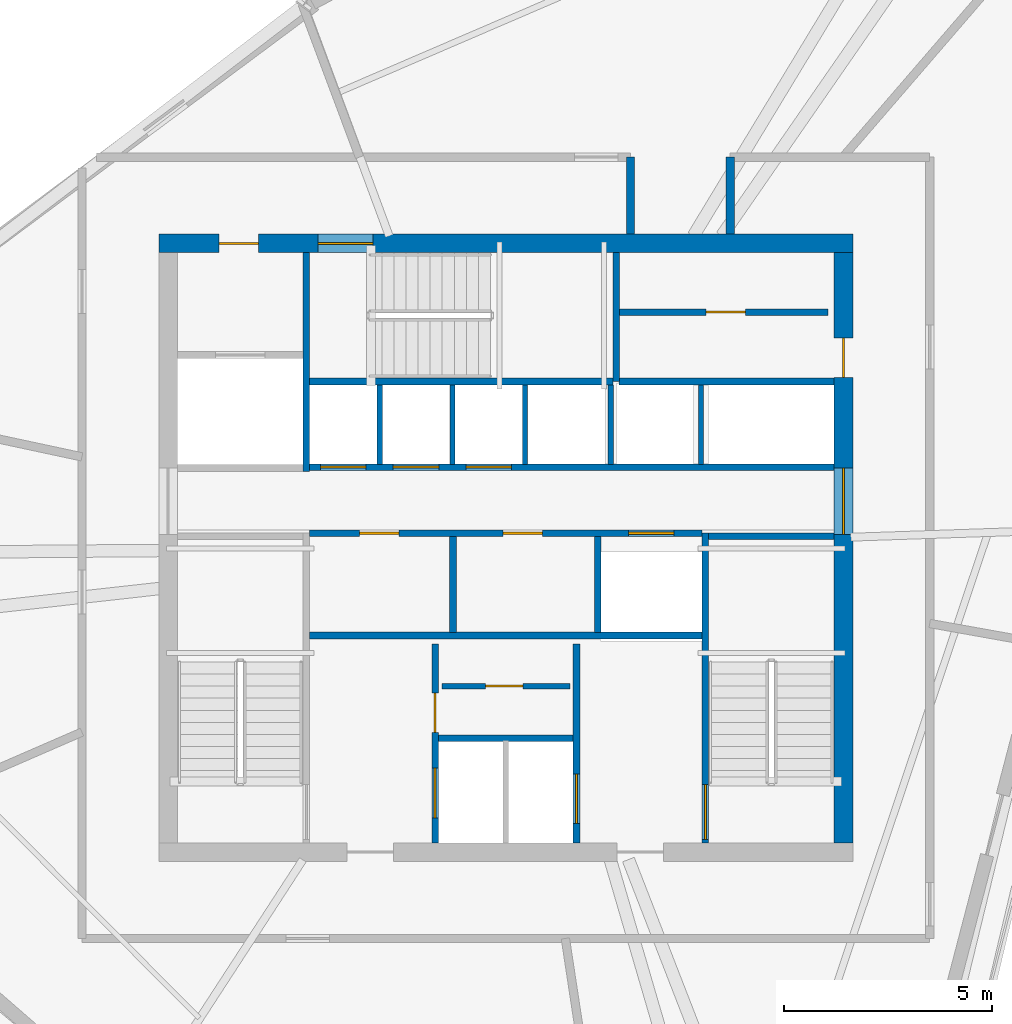
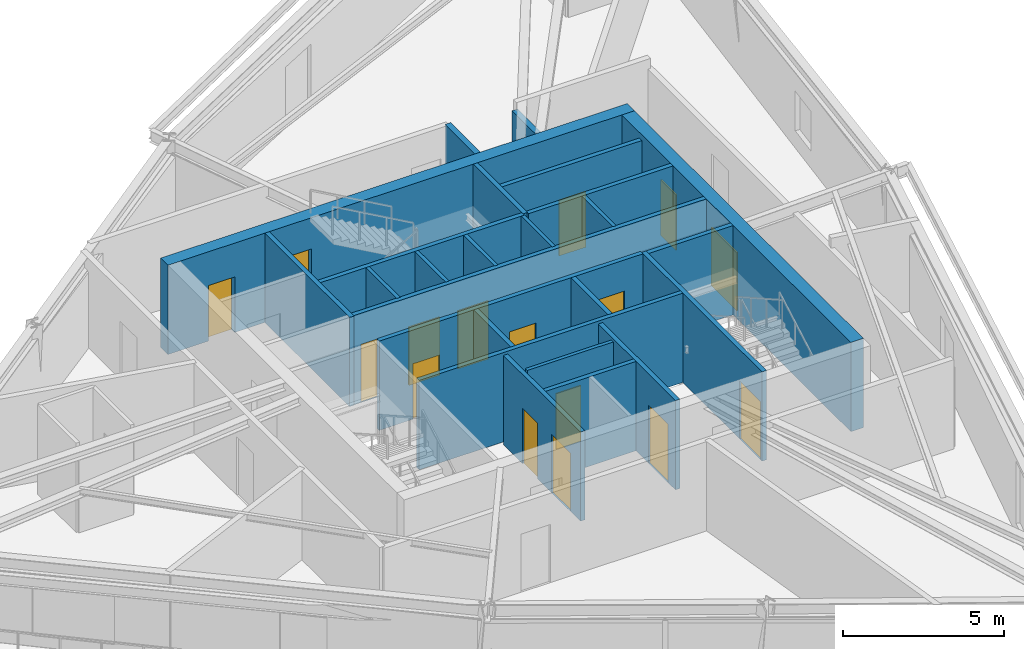
# One storey, part 9 of 13: 25 walls, 16 doors, 16 openings.
"""IFC4 building model written with IfcOpenShell, lengths in metres."""

from ifc_helpers import new_model, si_unit, direction, frame, frame_2d, origin, place, context, subcontext, project, spatial, rectangle, extrude, source, transform, mapped, material, layer, layer_set, type_object, type_shapes, element, fill, save


model = new_model("IFC4")

# Units and contexts
model_context = context("Model", 3, precision=1e-05, world=origin(), true_north=direction((0.0, 1.0)))
body_context = subcontext(model_context, "Body", "Model", "MODEL_VIEW")
ifc_project = project(units=[si_unit("LENGTHUNIT", "METRE"), si_unit("AREAUNIT", "SQUARE_METRE"), si_unit("VOLUMEUNIT", "CUBIC_METRE"), si_unit("PLANEANGLEUNIT", "RADIAN"), si_unit("MASSUNIT", "GRAM", prefix="KILO")], contexts=[model_context])

# Site, building, storey
site_placement = place(None, origin())
site = spatial("IfcSite", under=ifc_project, at=site_placement, CompositionType="ELEMENT")
building_placement = place(site_placement, origin())
building = spatial("IfcBuilding", under=site, at=building_placement, Name="Olszyna Solenne Hotel", CompositionType="ELEMENT")
storey_placement = place(building_placement, frame((0.0, 0.0, 263.300048828125)))
storey = spatial("IfcBuildingStorey", under=building, at=storey_placement, Name="L70", CompositionType="ELEMENT", Elevation=263.300048828125)

# Wall, openings, doors
ifc_material_1 = material(Name="Concrete C50/60", Category="concrete")
ifc_layer_1 = layer(ifc_material_1, 0.449951171875, Name="Concrete C50/60")
ifc_layer_set_1 = layer_set([ifc_layer_1], Name="Concrete C50/60")
wall_type_1 = type_object("IfcWallType", Name="WL-CR450", PredefinedType="SHEAR", material=ifc_layer_set_1)
wall_1_placement = place(storey_placement, frame((29.64990234375, 33.925048828125, 0.0), z_axis=(0.0, 0.0, 1.0), x_axis=(1.0, 0.0, 0.0)))
wall_1 = element("IfcWall", 1, at=wall_1_placement, inside=storey, type_object=wall_type_1, Name="Core shear wall WL-CR450 CRW-L70-N", PredefinedType="SHEAR", context=body_context, shape_type="SweptSolid", body=[
    extrude(rectangle(XDim=16.7001953125, YDim=0.449951171875, at=frame_2d((8.35009765625, 0.0))), origin(), (0.0, 0.0, 1.0), 3.3798828125),
])
opening_1_placement = place(wall_1_placement, frame((1.449951171875, 0.0, 0.0)))
opening_1 = element("IfcOpeningElement", 2, at=opening_1_placement, cuts=wall_1, Name="Opening SVD-L70-01", PredefinedType="OPENING", context=body_context, shape_type="SweptSolid", body=[
    extrude(rectangle(XDim=0.949951171875, YDim=2.10009765625, at=frame_2d((0.47509765625, 1.050048828125))), frame((0.0, 0.23486328125, 0.0), z_axis=(0.0, -1.0, 0.0), x_axis=(1.0, 0.0, 0.0)), (0.0, 0.0, 1.0), 0.469970703125),
])
opening_2_placement = place(wall_1_placement, frame((3.830078125, 0.0, 0.0)))
opening_2 = element("IfcOpeningElement", 3, at=opening_2_placement, cuts=wall_1, Name="Opening STD-L70-03", PredefinedType="OPENING", context=body_context, shape_type="SweptSolid", body=[
    extrude(rectangle(XDim=1.320068359375, YDim=2.199951171875, at=frame_2d((0.66015625, 1.10009765625))), frame((0.0, 0.23486328125, 0.0), z_axis=(0.0, -1.0, 0.0), x_axis=(1.0, 0.0, 0.0)), (0.0, 0.0, 1.0), 0.469970703125),
])
ifc_material_2 = material(Name="Steel S355J2", Category="steel")
door_type_1 = type_object("IfcDoorType", Name="DR-ST1", OperationType="NOTDEFINED", PredefinedType="DOOR", material=ifc_material_2)
shared_shape_1 = source(origin(), body_context, "Body", "SweptSolid", [
    extrude(rectangle(XDim=1.320068359375, YDim=2.199951171875, at=frame_2d((0.66015625, 1.10009765625))), frame((0.0, 0.02490234375, 0.0), z_axis=(0.0, -1.0, 0.0), x_axis=(1.0, 0.0, 0.0)), (0.0, 0.0, 1.0), 0.050048828125),
])
type_shapes(door_type_1, [shared_shape_1])
door_1_placement = place(opening_2_placement, origin())
door_1 = element("IfcDoor", 4, at=door_1_placement, inside=storey, type_object=door_type_1, Name="Pressurised exit stair ST3 fire door STD-L70-03", OperationType="SINGLE_SWING_RIGHT", OverallHeight=2.199951171875, OverallWidth=1.320068359375, PredefinedType="DOOR", context=body_context, shape_type="MappedRepresentation", body=[
    mapped(shared_shape_1, transform((0.0, 0.0, 0.0), x_axis=(1.0, 0.0, 0.0), y_axis=(0.0, 1.0, 0.0), z_axis=(0.0, 0.0, 1.0), scale=1.0)),
])
fill(opening_2, door_1)
door_type_2 = type_object("IfcDoorType", Name="DR-SV1", OperationType="NOTDEFINED", PredefinedType="DOOR", material=ifc_material_2)
shared_shape_2 = source(origin(), body_context, "Body", "SweptSolid", [
    extrude(rectangle(XDim=0.949951171875, YDim=2.10009765625, at=frame_2d((0.47509765625, 1.050048828125))), frame((0.0, 0.02490234375, 0.0), z_axis=(0.0, -1.0, 0.0), x_axis=(1.0, 0.0, 0.0)), (0.0, 0.0, 1.0), 0.050048828125),
])
type_shapes(door_type_2, [shared_shape_2])
door_2_placement = place(opening_1_placement, origin())
door_2 = element("IfcDoor", 5, at=door_2_placement, inside=storey, type_object=door_type_2, Name="Service lift lobby fire door SVD-L70-01", OperationType="SINGLE_SWING_LEFT", OverallHeight=2.10009765625, OverallWidth=0.949951171875, PredefinedType="DOOR", context=body_context, shape_type="MappedRepresentation", body=[
    mapped(shared_shape_2, transform((0.0, 0.0, 0.0), x_axis=(1.0, 0.0, 0.0), y_axis=(0.0, 1.0, 0.0), z_axis=(0.0, 0.0, 1.0), scale=1.0)),
])
fill(opening_1, door_2)

wall_2_placement = place(storey_placement, frame((46.125, 33.699951171875, 0.0), z_axis=(0.0, 0.0, 1.0), x_axis=(0.0, -1.0, 0.0)))
wall_2 = element("IfcWall", 6, at=wall_2_placement, inside=storey, type_object=wall_type_1, Name="Core shear wall WL-CR450 CRW-L70-E", PredefinedType="SHEAR", context=body_context, shape_type="SweptSolid", body=[
    extrude(rectangle(XDim=14.199951171875, YDim=0.449951171875, at=frame_2d((7.10009765625, 0.0))), origin(), (0.0, 0.0, 1.0), 3.3798828125),
])
opening_3_placement = place(wall_2_placement, frame((5.179931640625, 0.0, 0.0)))
opening_3 = element("IfcOpeningElement", 7, at=opening_3_placement, cuts=wall_2, Name="Opening LHD-L70-E", PredefinedType="OPENING", context=body_context, shape_type="SweptSolid", body=[
    extrude(rectangle(XDim=1.60009765625, YDim=2.199951171875, at=frame_2d((0.800048828125, 1.10009765625))), frame((0.0, 0.23486328125, 0.0), z_axis=(0.0, -1.0, 0.0), x_axis=(1.0, 0.0, 0.0)), (0.0, 0.0, 1.0), 0.469970703125),
])
opening_4_placement = place(wall_2_placement, frame((2.050048828125, 0.0, 0.0)))
opening_4 = element("IfcOpeningElement", 8, at=opening_4_placement, cuts=wall_2, Name="Opening SVD-L70-BE", PredefinedType="OPENING", context=body_context, shape_type="SweptSolid", body=[
    extrude(rectangle(XDim=0.949951171875, YDim=2.10009765625, at=frame_2d((0.47509765625, 1.050048828125))), frame((0.0, 0.23486328125, 0.0), z_axis=(0.0, -1.0, 0.0), x_axis=(1.0, 0.0, 0.0)), (0.0, 0.0, 1.0), 0.469970703125),
])
door_3_placement = place(opening_4_placement, origin())
door_3 = element("IfcDoor", 9, at=door_3_placement, inside=storey, type_object=door_type_2, Name="Housekeeping core fire door SVD-L70-BE", OperationType="SINGLE_SWING_RIGHT", OverallHeight=2.10009765625, OverallWidth=0.949951171875, PredefinedType="DOOR", context=body_context, shape_type="MappedRepresentation", body=[
    mapped(shared_shape_2, transform((0.0, 0.0, 0.0), x_axis=(1.0, 0.0, 0.0), y_axis=(0.0, 1.0, 0.0), z_axis=(0.0, 0.0, 1.0), scale=1.0)),
])
fill(opening_4, door_3)
ifc_material_3 = material(Name="Timber hardwood", Category="wood")
door_type_3 = type_object("IfcDoorType", Name="DR-CR1", OperationType="DOUBLE_DOOR_SINGLE_SWING", PredefinedType="DOOR", material=ifc_material_3)
shared_shape_3 = source(origin(), body_context, "Body", "SweptSolid", [
    extrude(rectangle(XDim=1.60009765625, YDim=2.199951171875, at=frame_2d((0.800048828125, 1.10009765625))), frame((0.0, 0.02490234375, 0.0), z_axis=(0.0, -1.0, 0.0), x_axis=(1.0, 0.0, 0.0)), (0.0, 0.0, 1.0), 0.050048828125),
])
type_shapes(door_type_3, [shared_shape_3])
door_4_placement = place(opening_3_placement, origin())
door_4 = element("IfcDoor", 10, at=door_4_placement, inside=storey, type_object=door_type_3, Name="Passenger lift lobby East fire door LHD-L70-E", OperationType="DOUBLE_DOOR_SINGLE_SWING", OverallHeight=2.199951171875, OverallWidth=1.60009765625, PredefinedType="DOOR", context=body_context, shape_type="MappedRepresentation", body=[
    mapped(shared_shape_3, transform((0.0, 0.0, 0.0), x_axis=(1.0, 0.0, 0.0), y_axis=(0.0, 1.0, 0.0), z_axis=(0.0, 0.0, 1.0), scale=1.0)),
])
fill(opening_3, door_4)

# Wall, opening, door
ifc_material_4 = material(Name="Acoustic gypsum partition", Category="gypsum")
ifc_layer_2 = layer(ifc_material_4, 0.125, Name="Acoustic gypsum partition")
ifc_layer_set_2 = layer_set([ifc_layer_2], Name="Acoustic gypsum partition")
wall_type_2 = type_object("IfcWallType", Name="WL-PT125", PredefinedType="PARTITIONING", material=ifc_layer_set_2)
wall_3_placement = place(storey_placement, frame((36.4599609375, 23.27001953125, 0.0), z_axis=(0.0, 0.0, 1.0), x_axis=(1.0, 0.0, 0.0)))
wall_3 = element("IfcWall", 11, at=wall_3_placement, inside=storey, type_object=wall_type_2, Name="Core shaft compartment wall CW-L70-SC2", PredefinedType="PARTITIONING", context=body_context, shape_type="SweptSolid", body=[
    extrude(rectangle(XDim=3.080078125, YDim=0.125, at=frame_2d((1.5400390625, 0.0))), origin(), (0.0, 0.0, 1.0), 3.3798828125),
])
opening_5_placement = place(wall_3_placement, frame((1.050048828125, 0.0, 0.0)))
opening_5 = element("IfcOpeningElement", 12, at=opening_5_placement, cuts=wall_3, Name="Opening SVD-L70-SC2", PredefinedType="OPENING", context=body_context, shape_type="SweptSolid", body=[
    extrude(rectangle(XDim=0.89990234375, YDim=2.10009765625, at=frame_2d((0.449951171875, 1.050048828125))), frame((0.0, 0.072509765625, 0.0), z_axis=(0.0, -1.0, 0.0), x_axis=(1.0, 0.0, 0.0)), (0.0, 0.0, 1.0), 0.14501953125),
])
door_type_4 = type_object("IfcDoorType", Name="DR-WC1", OperationType="NOTDEFINED", PredefinedType="DOOR", material=ifc_material_3)
shared_shape_4 = source(origin(), body_context, "Body", "SweptSolid", [
    extrude(rectangle(XDim=0.89990234375, YDim=2.10009765625, at=frame_2d((0.449951171875, 1.050048828125))), frame((0.0, 0.02490234375, 0.0), z_axis=(0.0, -1.0, 0.0), x_axis=(1.0, 0.0, 0.0)), (0.0, 0.0, 1.0), 0.050048828125),
])
type_shapes(door_type_4, [shared_shape_4])
door_5_placement = place(opening_5_placement, origin())
door_5 = element("IfcDoor", 13, at=door_5_placement, inside=storey, type_object=door_type_4, Name="Butler pantry door SVD-L70-SC2", OperationType="SINGLE_SWING_RIGHT", OverallHeight=2.10009765625, OverallWidth=0.89990234375, PredefinedType="DOOR", context=body_context, shape_type="MappedRepresentation", body=[
    mapped(shared_shape_4, transform((0.0, 0.0, 0.0), x_axis=(1.0, 0.0, 0.0), y_axis=(0.0, 1.0, 0.0), z_axis=(0.0, 0.0, 1.0), scale=1.0)),
])
fill(opening_5, door_5)

# Walls
for number, where, z_axis, x_axis, name in (
    (14, (34.965087890625, 28.60009765625, 0.0), (0.0, 0.0, 1.0), (0.0, 1.0, 0.0), "Core shaft compartment wall CW-L70-DIVN349"),
    (15, (36.715087890625, 28.60009765625, 0.0), (0.0, 0.0, 1.0), (0.0, 1.0, 0.0), "Core shaft compartment wall CW-L70-DIVN367"),
    (16, (38.465087890625, 28.60009765625, 0.0), (0.0, 0.0, 1.0), (0.0, 1.0, 0.0), "Core shaft compartment wall CW-L70-DIVN384"),
    (17, (40.52490234375, 28.60009765625, 0.0), (0.0, 0.0, 1.0), (0.0, 1.0, 0.0), "Core shaft compartment wall CW-L70-DIVEX405"),
    (18, (42.699951171875, 28.60009765625, 0.0), (0.0, 0.0, 1.0), (0.0, 1.0, 0.0), "Core shaft compartment wall CW-L70-DIVEX427"),
):
    element("IfcWall", number, at=place(storey_placement, frame(where, z_axis=z_axis, x_axis=x_axis)), inside=storey, type_object=wall_type_2, Name=name, PredefinedType="PARTITIONING", context=body_context, shape_type="SweptSolid", body=[
        extrude(rectangle(XDim=1.919921875, YDim=0.125, at=frame_2d((0.9599609375, 0.0))), origin(), (0.0, 0.0, 1.0), 3.3798828125),
    ])

# Wall, opening, door
ifc_layer_3 = layer(ifc_material_4, 0.159912109375, Name="Acoustic gypsum partition")
ifc_layer_set_3 = layer_set([ifc_layer_3], Name="Acoustic gypsum partition")
wall_type_3 = type_object("IfcWallType", Name="WL-PT160", PredefinedType="PARTITIONING", material=ifc_layer_set_3)
wall_4_placement = place(storey_placement, frame((42.800048828125, 26.9599609375, 0.0), z_axis=(0.0, 0.0, 1.0), x_axis=(0.0, -1.0, 0.0)))
wall_4 = element("IfcWall", 19, at=wall_4_placement, inside=storey, type_object=wall_type_3, Name="Core shaft compartment wall CW-L70-ST2W", PredefinedType="PARTITIONING", context=body_context, shape_type="SweptSolid", body=[
    extrude(rectangle(XDim=7.4599609375, YDim=0.159912109375, at=frame_2d((3.72998046875, 0.0))), origin(), (0.0, 0.0, 1.0), 3.3798828125),
])
opening_6_placement = place(wall_4_placement, frame((6.06005859375, 0.0, 0.0)))
opening_6 = element("IfcOpeningElement", 20, at=opening_6_placement, cuts=wall_4, Name="Opening STD-L70-02", PredefinedType="OPENING", context=body_context, shape_type="SweptSolid", body=[
    extrude(rectangle(XDim=1.320068359375, YDim=2.199951171875, at=frame_2d((0.66015625, 1.10009765625))), frame((0.0, 0.08984375, 0.0), z_axis=(0.0, -1.0, 0.0), x_axis=(1.0, 0.0, 0.0)), (0.0, 0.0, 1.0), 0.179931640625),
])
door_6_placement = place(opening_6_placement, origin())
door_6 = element("IfcDoor", 21, at=door_6_placement, inside=storey, type_object=door_type_1, Name="Pressurised exit stair ST2 fire door STD-L70-02", OperationType="SINGLE_SWING_RIGHT", OverallHeight=2.199951171875, OverallWidth=1.320068359375, PredefinedType="DOOR", context=body_context, shape_type="MappedRepresentation", body=[
    mapped(shared_shape_1, transform((0.0, 0.0, 0.0), x_axis=(1.0, 0.0, 0.0), y_axis=(0.0, 1.0, 0.0), z_axis=(0.0, 0.0, 1.0), scale=1.0)),
])
fill(opening_6, door_6)

# Walls
wall_5_placement = place(storey_placement, frame((42.8798828125, 26.8798828125, 0.0), z_axis=(0.0, 0.0, 1.0), x_axis=(1.0, 0.0, 0.0)))
element("IfcWall", 22, at=wall_5_placement, inside=storey, type_object=wall_type_3, Name="Core shaft compartment wall CW-L70-ST2N", PredefinedType="PARTITIONING", context=body_context, shape_type="SweptSolid", body=[
    extrude(rectangle(XDim=3.02001953125, YDim=0.159912109375, at=frame_2d((1.510009765625, 0.0))), origin(), (0.0, 0.0, 1.0), 3.3798828125),
])
wall_6_placement = place(storey_placement, frame((33.280029296875, 30.60009765625, 0.0), z_axis=(0.0, 0.0, 1.0), x_axis=(1.0, 0.0, 0.0)))
element("IfcWall", 23, at=wall_6_placement, inside=storey, type_object=wall_type_3, Name="Core shaft compartment wall CW-L70-ST3S", PredefinedType="PARTITIONING", context=body_context, shape_type="SweptSolid", body=[
    extrude(rectangle(XDim=7.300048828125, YDim=0.159912109375, at=frame_2d((3.64990234375, 0.0))), origin(), (0.0, 0.0, 1.0), 3.3798828125),
])
wall_7_placement = place(storey_placement, frame((40.659912109375, 30.60009765625, 0.0), z_axis=(0.0, 0.0, 1.0), x_axis=(0.0, 1.0, 0.0)))
element("IfcWall", 24, at=wall_7_placement, inside=storey, type_object=wall_type_3, Name="Core shaft compartment wall CW-L70-ST3E", PredefinedType="PARTITIONING", context=body_context, shape_type="SweptSolid", body=[
    extrude(rectangle(XDim=3.099853515625, YDim=0.159912109375, at=frame_2d((1.5498046875, 0.0))), origin(), (0.0, 0.0, 1.0), 3.3798828125),
])

# Wall, openings, doors
wall_8_placement = place(storey_placement, frame((36.300048828125, 19.5, 0.0), z_axis=(0.0, 0.0, 1.0), x_axis=(0.0, 1.0, 0.0)))
wall_8 = element("IfcWall", 25, at=wall_8_placement, inside=storey, type_object=wall_type_3, Name="Core shaft compartment wall CW-L70-FF1W", PredefinedType="PARTITIONING", context=body_context, shape_type="SweptSolid", body=[
    extrude(rectangle(XDim=4.780029296875, YDim=0.159912109375, at=frame_2d((2.39013671875, 0.0))), origin(), (0.0, 0.0, 1.0), 3.3798828125),
])
opening_7_placement = place(wall_8_placement, frame((0.60009765625, 0.0, 0.0)))
opening_7 = element("IfcOpeningElement", 26, at=opening_7_placement, cuts=wall_8, Name="Opening LD-L70-FF1", PredefinedType="OPENING", context=body_context, shape_type="SweptSolid", body=[
    extrude(rectangle(XDim=1.199951171875, YDim=2.199951171875, at=frame_2d((0.60009765625, 1.10009765625))), frame((0.0, 0.08984375, 0.0), z_axis=(0.0, -1.0, 0.0), x_axis=(1.0, 0.0, 0.0)), (0.0, 0.0, 1.0), 0.179931640625),
])
opening_8_placement = place(wall_8_placement, frame((2.64990234375, 0.0, 0.0)))
opening_8 = element("IfcOpeningElement", 27, at=opening_8_placement, cuts=wall_8, Name="Opening SVD-L70-SMK", PredefinedType="OPENING", context=body_context, shape_type="SweptSolid", body=[
    extrude(rectangle(XDim=0.949951171875, YDim=2.10009765625, at=frame_2d((0.47509765625, 1.050048828125))), frame((0.0, 0.08984375, 0.0), z_axis=(0.0, -1.0, 0.0), x_axis=(1.0, 0.0, 0.0)), (0.0, 0.0, 1.0), 0.179931640625),
])
door_7_placement = place(opening_8_placement, origin())
door_7 = element("IfcDoor", 28, at=door_7_placement, inside=storey, type_object=door_type_2, Name="Valet and core service room door SVD-L70-SMK", OperationType="SINGLE_SWING_LEFT", OverallHeight=2.10009765625, OverallWidth=0.949951171875, PredefinedType="DOOR", context=body_context, shape_type="MappedRepresentation", body=[
    mapped(shared_shape_2, transform((0.0, 0.0, 0.0), x_axis=(1.0, 0.0, 0.0), y_axis=(0.0, 1.0, 0.0), z_axis=(0.0, 0.0, 1.0), scale=1.0)),
])
fill(opening_8, door_7)
door_type_5 = type_object("IfcDoorType", Name="LD-FF1", OperationType="DOUBLE_DOOR_SLIDING", PredefinedType="DOOR", material=ifc_material_2)
shared_shape_5 = source(origin(), body_context, "Body", "SweptSolid", [
    extrude(rectangle(XDim=1.199951171875, YDim=2.199951171875, at=frame_2d((0.60009765625, 1.10009765625))), frame((0.0, 0.02490234375, 0.0), z_axis=(0.0, -1.0, 0.0), x_axis=(1.0, 0.0, 0.0)), (0.0, 0.0, 1.0), 0.050048828125),
])
type_shapes(door_type_5, [shared_shape_5])
door_8_placement = place(opening_7_placement, origin())
door_8 = element("IfcDoor", 29, at=door_8_placement, inside=storey, type_object=door_type_5, Name="Firefighters lift FF1 sliding landing door LD-L70-FF1", OperationType="DOUBLE_DOOR_SLIDING", OverallHeight=2.199951171875, OverallWidth=1.199951171875, PredefinedType="DOOR", context=body_context, shape_type="MappedRepresentation", body=[
    mapped(shared_shape_5, transform((0.0, 0.0, 0.0), x_axis=(1.0, 0.0, 0.0), y_axis=(0.0, 1.0, 0.0), z_axis=(0.0, 0.0, 1.0), scale=1.0)),
])
fill(opening_7, door_8)

# Wall, opening, door
wall_9_placement = place(storey_placement, frame((39.699951171875, 24.280029296875, 0.0), z_axis=(0.0, 0.0, 1.0), x_axis=(0.0, -1.0, 0.0)))
wall_9 = element("IfcWall", 30, at=wall_9_placement, inside=storey, type_object=wall_type_3, Name="Core shaft compartment wall CW-L70-FF2E", PredefinedType="PARTITIONING", context=body_context, shape_type="SweptSolid", body=[
    extrude(rectangle(XDim=4.780029296875, YDim=0.159912109375, at=frame_2d((2.39013671875, 0.0))), origin(), (0.0, 0.0, 1.0), 3.3798828125),
])
opening_9_placement = place(wall_9_placement, frame((3.1201171875, 0.0, 0.0)))
opening_9 = element("IfcOpeningElement", 31, at=opening_9_placement, cuts=wall_9, Name="Opening LD-L70-FF2", PredefinedType="OPENING", context=body_context, shape_type="SweptSolid", body=[
    extrude(rectangle(XDim=1.199951171875, YDim=2.199951171875, at=frame_2d((0.60009765625, 1.10009765625))), frame((0.0, 0.08984375, 0.0), z_axis=(0.0, -1.0, 0.0), x_axis=(1.0, 0.0, 0.0)), (0.0, 0.0, 1.0), 0.179931640625),
])
door_9_placement = place(opening_9_placement, origin())
door_9 = element("IfcDoor", 32, at=door_9_placement, inside=storey, type_object=door_type_5, Name="Firefighters lift FF2 sliding landing door LD-L70-FF2", OperationType="DOUBLE_DOOR_SLIDING", OverallHeight=2.199951171875, OverallWidth=1.199951171875, PredefinedType="DOOR", context=body_context, shape_type="MappedRepresentation", body=[
    mapped(shared_shape_5, transform((0.0, 0.0, 0.0), x_axis=(1.0, 0.0, 0.0), y_axis=(0.0, 1.0, 0.0), z_axis=(0.0, 0.0, 1.0), scale=1.0)),
])
fill(opening_9, door_9)

# Walls
wall_10_placement = place(storey_placement, frame((36.3798828125, 22.02001953125, 0.0), z_axis=(0.0, 0.0, 1.0), x_axis=(1.0, 0.0, 0.0)))
element("IfcWall", 33, at=wall_10_placement, inside=storey, type_object=wall_type_3, Name="Core shaft compartment wall CW-L70-FFN", PredefinedType="PARTITIONING", context=body_context, shape_type="SweptSolid", body=[
    extrude(rectangle(XDim=3.240234375, YDim=0.159912109375, at=frame_2d((1.6201171875, 0.0))), origin(), (0.0, 0.0, 1.0), 3.3798828125),
])
wall_11_placement = place(storey_placement, frame((33.280029296875, 24.489990234375, 0.0), z_axis=(0.0, 0.0, 1.0), x_axis=(1.0, 0.0, 0.0)))
element("IfcWall", 34, at=wall_11_placement, inside=storey, type_object=wall_type_3, Name="Core shaft compartment wall CW-L70-FFBN", PredefinedType="PARTITIONING", context=body_context, shape_type="SweptSolid", body=[
    extrude(rectangle(XDim=9.43994140625, YDim=0.159912109375, at=frame_2d((4.719970703125, 0.0))), origin(), (0.0, 0.0, 1.0), 3.3798828125),
])
wall_12_placement = place(storey_placement, frame((33.199951171875, 28.43994140625, 0.0), z_axis=(0.0, 0.0, 1.0), x_axis=(0.0, 1.0, 0.0)))
element("IfcWall", 35, at=wall_12_placement, inside=storey, type_object=wall_type_3, Name="Core shaft compartment wall CW-L70-SV1E", PredefinedType="PARTITIONING", context=body_context, shape_type="SweptSolid", body=[
    extrude(rectangle(XDim=5.260009765625, YDim=0.159912109375, at=frame_2d((2.6298828125, 0.0))), origin(), (0.0, 0.0, 1.0), 3.3798828125),
])

# Wall, openings, doors
wall_13_placement = place(storey_placement, frame((33.280029296875, 26.949951171875, 0.0), z_axis=(0.0, 0.0, 1.0), x_axis=(1.0, 0.0, 0.0)))
wall_13 = element("IfcWall", 36, at=wall_13_placement, inside=storey, type_object=wall_type_3, Name="Core shaft compartment wall CW-L70-LRS", PredefinedType="PARTITIONING", context=body_context, shape_type="SweptSolid", body=[
    extrude(rectangle(XDim=9.43994140625, YDim=0.159912109375, at=frame_2d((4.719970703125, 0.0))), origin(), (0.0, 0.0, 1.0), 3.3798828125),
])
opening_10_placement = place(wall_13_placement, frame((1.199951171875, 0.0, 0.0)))
opening_10 = element("IfcOpeningElement", 37, at=opening_10_placement, cuts=wall_13, Name="Opening SVD-L70-L71", PredefinedType="OPENING", context=body_context, shape_type="SweptSolid", body=[
    extrude(rectangle(XDim=0.949951171875, YDim=2.10009765625, at=frame_2d((0.47509765625, 1.050048828125))), frame((0.0, 0.08984375, 0.0), z_axis=(0.0, -1.0, 0.0), x_axis=(1.0, 0.0, 0.0)), (0.0, 0.0, 1.0), 0.179931640625),
])
opening_11_placement = place(wall_13_placement, frame((4.64990234375, 0.0, 0.0)))
opening_11 = element("IfcOpeningElement", 38, at=opening_11_placement, cuts=wall_13, Name="Opening SVD-L70-L72", PredefinedType="OPENING", context=body_context, shape_type="SweptSolid", body=[
    extrude(rectangle(XDim=0.949951171875, YDim=2.10009765625, at=frame_2d((0.47509765625, 1.050048828125))), frame((0.0, 0.08984375, 0.0), z_axis=(0.0, -1.0, 0.0), x_axis=(1.0, 0.0, 0.0)), (0.0, 0.0, 1.0), 0.179931640625),
])
opening_12_placement = place(wall_13_placement, frame((7.669921875, 0.0, 0.0)))
opening_12 = element("IfcOpeningElement", 39, at=opening_12_placement, cuts=wall_13, Name="Opening LD-L70-PL5", PredefinedType="OPENING", context=body_context, shape_type="SweptSolid", body=[
    extrude(rectangle(XDim=1.10009765625, YDim=2.199951171875, at=frame_2d((0.550048828125, 1.10009765625))), frame((0.0, 0.08984375, 0.0), z_axis=(0.0, -1.0, 0.0), x_axis=(1.0, 0.0, 0.0)), (0.0, 0.0, 1.0), 0.179931640625),
])
door_10_placement = place(opening_10_placement, origin())
door_10 = element("IfcDoor", 40, at=door_10_placement, inside=storey, type_object=door_type_2, Name="Recaptured core room fire door SVD-L70-L71", OperationType="SINGLE_SWING_LEFT", OverallHeight=2.10009765625, OverallWidth=0.949951171875, PredefinedType="DOOR", context=body_context, shape_type="MappedRepresentation", body=[
    mapped(shared_shape_2, transform((0.0, 0.0, 0.0), x_axis=(1.0, 0.0, 0.0), y_axis=(0.0, 1.0, 0.0), z_axis=(0.0, 0.0, 1.0), scale=1.0)),
])
fill(opening_10, door_10)
door_11_placement = place(opening_11_placement, origin())
door_11 = element("IfcDoor", 41, at=door_11_placement, inside=storey, type_object=door_type_2, Name="Recaptured core room fire door SVD-L70-L72", OperationType="SINGLE_SWING_RIGHT", OverallHeight=2.10009765625, OverallWidth=0.949951171875, PredefinedType="DOOR", context=body_context, shape_type="MappedRepresentation", body=[
    mapped(shared_shape_2, transform((0.0, 0.0, 0.0), x_axis=(1.0, 0.0, 0.0), y_axis=(0.0, 1.0, 0.0), z_axis=(0.0, 0.0, 1.0), scale=1.0)),
])
fill(opening_11, door_11)
door_type_6 = type_object("IfcDoorType", Name="LD-P1", OperationType="DOUBLE_DOOR_SLIDING", PredefinedType="DOOR", material=ifc_material_2)
shared_shape_6 = source(origin(), body_context, "Body", "SweptSolid", [
    extrude(rectangle(XDim=1.10009765625, YDim=2.199951171875, at=frame_2d((0.550048828125, 1.10009765625))), frame((0.0, 0.02490234375, 0.0), z_axis=(0.0, -1.0, 0.0), x_axis=(1.0, 0.0, 0.0)), (0.0, 0.0, 1.0), 0.050048828125),
])
type_shapes(door_type_6, [shared_shape_6])
door_12_placement = place(opening_12_placement, origin())
door_12 = element("IfcDoor", 42, at=door_12_placement, inside=storey, type_object=door_type_6, Name="Passenger lift PL5 sliding landing door LD-L70-PL5", OperationType="DOUBLE_DOOR_SLIDING", OverallHeight=2.199951171875, OverallWidth=1.10009765625, PredefinedType="DOOR", context=body_context, shape_type="MappedRepresentation", body=[
    mapped(shared_shape_6, transform((0.0, 0.0, 0.0), x_axis=(1.0, 0.0, 0.0), y_axis=(0.0, 1.0, 0.0), z_axis=(0.0, 0.0, 1.0), scale=1.0)),
])
fill(opening_12, door_12)

# Walls
for number, where, z_axis, x_axis, name in (
    (43, (36.72998046875, 24.56005859375, 0.0), (0.0, 0.0, 1.0), (0.0, 1.0, 0.0), "Core shaft compartment wall CW-L70-LV7DIV1"),
    (44, (40.215087890625, 24.56005859375, 0.0), (0.0, 0.0, 1.0), (0.0, 1.0, 0.0), "Core shaft compartment wall CW-L70-LV7DIV2"),
):
    element("IfcWall", number, at=place(storey_placement, frame(where, z_axis=z_axis, x_axis=x_axis)), inside=storey, type_object=wall_type_3, Name=name, PredefinedType="PARTITIONING", context=body_context, shape_type="SweptSolid", body=[
        extrude(rectangle(XDim=2.31005859375, YDim=0.159912109375, at=frame_2d((1.155029296875, 0.0))), origin(), (0.0, 0.0, 1.0), 3.3798828125),
    ])

# Wall, openings, doors
wall_14_placement = place(storey_placement, frame((33.280029296875, 28.5400390625, 0.0), z_axis=(0.0, 0.0, 1.0), x_axis=(1.0, 0.0, 0.0)))
wall_14 = element("IfcWall", 45, at=wall_14_placement, inside=storey, type_object=wall_type_3, Name="Core shaft compartment wall CW-L70-LRN", PredefinedType="PARTITIONING", context=body_context, shape_type="SweptSolid", body=[
    extrude(rectangle(XDim=12.619873046875, YDim=0.159912109375, at=frame_2d((6.31005859375, 0.0))), origin(), (0.0, 0.0, 1.0), 3.3798828125),
])
opening_13_placement = place(wall_14_placement, frame((0.260009765625, 0.0, 0.0)))
opening_13 = element("IfcOpeningElement", 46, at=opening_13_placement, cuts=wall_14, Name="Opening LD-L70-PL6", PredefinedType="OPENING", context=body_context, shape_type="SweptSolid", body=[
    extrude(rectangle(XDim=1.10009765625, YDim=2.199951171875, at=frame_2d((0.550048828125, 1.10009765625))), frame((0.0, 0.08984375, 0.0), z_axis=(0.0, -1.0, 0.0), x_axis=(1.0, 0.0, 0.0)), (0.0, 0.0, 1.0), 0.179931640625),
])
opening_14_placement = place(wall_14_placement, frame((2.010009765625, 0.0, 0.0)))
opening_14 = element("IfcOpeningElement", 47, at=opening_14_placement, cuts=wall_14, Name="Opening LD-L70-PL7", PredefinedType="OPENING", context=body_context, shape_type="SweptSolid", body=[
    extrude(rectangle(XDim=1.10009765625, YDim=2.199951171875, at=frame_2d((0.550048828125, 1.10009765625))), frame((0.0, 0.08984375, 0.0), z_axis=(0.0, -1.0, 0.0), x_axis=(1.0, 0.0, 0.0)), (0.0, 0.0, 1.0), 0.179931640625),
])
opening_15_placement = place(wall_14_placement, frame((3.760009765625, 0.0, 0.0)))
opening_15 = element("IfcOpeningElement", 48, at=opening_15_placement, cuts=wall_14, Name="Opening LD-L70-PL8", PredefinedType="OPENING", context=body_context, shape_type="SweptSolid", body=[
    extrude(rectangle(XDim=1.10009765625, YDim=2.199951171875, at=frame_2d((0.550048828125, 1.10009765625))), frame((0.0, 0.08984375, 0.0), z_axis=(0.0, -1.0, 0.0), x_axis=(1.0, 0.0, 0.0)), (0.0, 0.0, 1.0), 0.179931640625),
])
door_13_placement = place(opening_13_placement, origin())
door_13 = element("IfcDoor", 49, at=door_13_placement, inside=storey, type_object=door_type_6, Name="Passenger lift PL6 sliding landing door LD-L70-PL6", OperationType="DOUBLE_DOOR_SLIDING", OverallHeight=2.199951171875, OverallWidth=1.10009765625, PredefinedType="DOOR", context=body_context, shape_type="MappedRepresentation", body=[
    mapped(shared_shape_6, transform((0.0, 0.0, 0.0), x_axis=(1.0, 0.0, 0.0), y_axis=(0.0, 1.0, 0.0), z_axis=(0.0, 0.0, 1.0), scale=1.0)),
])
fill(opening_13, door_13)
door_14_placement = place(opening_14_placement, origin())
door_14 = element("IfcDoor", 50, at=door_14_placement, inside=storey, type_object=door_type_6, Name="Passenger lift PL7 sliding landing door LD-L70-PL7", OperationType="DOUBLE_DOOR_SLIDING", OverallHeight=2.199951171875, OverallWidth=1.10009765625, PredefinedType="DOOR", context=body_context, shape_type="MappedRepresentation", body=[
    mapped(shared_shape_6, transform((0.0, 0.0, 0.0), x_axis=(1.0, 0.0, 0.0), y_axis=(0.0, 1.0, 0.0), z_axis=(0.0, 0.0, 1.0), scale=1.0)),
])
fill(opening_14, door_14)
door_15_placement = place(opening_15_placement, origin())
door_15 = element("IfcDoor", 51, at=door_15_placement, inside=storey, type_object=door_type_6, Name="Passenger lift PL8 sliding landing door LD-L70-PL8", OperationType="DOUBLE_DOOR_SLIDING", OverallHeight=2.199951171875, OverallWidth=1.10009765625, PredefinedType="DOOR", context=body_context, shape_type="MappedRepresentation", body=[
    mapped(shared_shape_6, transform((0.0, 0.0, 0.0), x_axis=(1.0, 0.0, 0.0), y_axis=(0.0, 1.0, 0.0), z_axis=(0.0, 0.0, 1.0), scale=1.0)),
])
fill(opening_15, door_15)

# Wall
wall_15_placement = place(storey_placement, frame((40.719970703125, 30.60009765625, 0.0), z_axis=(0.0, 0.0, 1.0), x_axis=(1.0, 0.0, 0.0)))
element("IfcWall", 52, at=wall_15_placement, inside=storey, type_object=wall_type_3, Name="Core shaft compartment wall CW-L70-LRNTOP", PredefinedType="PARTITIONING", context=body_context, shape_type="SweptSolid", body=[
    extrude(rectangle(XDim=5.179931640625, YDim=0.159912109375, at=frame_2d((2.58984375, 0.0))), origin(), (0.0, 0.0, 1.0), 3.3798828125),
])

# Wall, opening, door
wall_16_placement = place(storey_placement, frame((40.719970703125, 32.27001953125, 0.0), z_axis=(0.0, 0.0, 1.0), x_axis=(1.0, 0.0, 0.0)))
wall_16 = element("IfcWall", 53, at=wall_16_placement, inside=storey, type_object=wall_type_3, Name="Core shaft compartment wall CW-L70-BOH2", PredefinedType="PARTITIONING", context=body_context, shape_type="SweptSolid", body=[
    extrude(rectangle(XDim=5.030029296875, YDim=0.159912109375, at=frame_2d((2.51513671875, 0.0))), origin(), (0.0, 0.0, 1.0), 3.3798828125),
])
opening_16_placement = place(wall_16_placement, frame((2.10009765625, 0.0, 0.0)))
opening_16 = element("IfcOpeningElement", 54, at=opening_16_placement, cuts=wall_16, Name="Opening SVD-L70-BI2", PredefinedType="OPENING", context=body_context, shape_type="SweptSolid", body=[
    extrude(rectangle(XDim=0.949951171875, YDim=2.10009765625, at=frame_2d((0.47509765625, 1.050048828125))), frame((0.0, 0.08984375, 0.0), z_axis=(0.0, -1.0, 0.0), x_axis=(1.0, 0.0, 0.0)), (0.0, 0.0, 1.0), 0.179931640625),
])
door_16_placement = place(opening_16_placement, origin())
door_16 = element("IfcDoor", 55, at=door_16_placement, inside=storey, type_object=door_type_2, Name="BOH inter-room fire door SVD-L70-BI2", OperationType="SINGLE_SWING_RIGHT", OverallHeight=2.10009765625, OverallWidth=0.949951171875, PredefinedType="DOOR", context=body_context, shape_type="MappedRepresentation", body=[
    mapped(shared_shape_2, transform((0.0, 0.0, 0.0), x_axis=(1.0, 0.0, 0.0), y_axis=(0.0, 1.0, 0.0), z_axis=(0.0, 0.0, 1.0), scale=1.0)),
])
fill(opening_16, door_16)

# Walls
ifc_layer_4 = layer(ifc_material_4, 0.199951171875, Name="Acoustic gypsum partition")
ifc_layer_set_4 = layer_set([ifc_layer_4], Name="Acoustic gypsum partition")
wall_type_4 = type_object("IfcWallType", Name="WL-PT200", PredefinedType="PARTITIONING", material=ifc_layer_set_4)
wall_17_placement = place(storey_placement, frame((41.0, 34.14990234375, 0.0), z_axis=(0.0, 0.0, 1.0), x_axis=(0.0, 1.0, 0.0)))
element("IfcWall", 56, at=wall_17_placement, inside=storey, type_object=wall_type_4, Name="Interior acoustic partition WL-PT200 PW-L70-3888", PredefinedType="PARTITIONING", context=body_context, shape_type="SweptSolid", body=[
    extrude(rectangle(XDim=1.85009765625, YDim=0.199951171875, at=frame_2d((0.925048828125, 0.0))), origin(), (0.0, 0.0, 1.0), 3.3798828125),
])
wall_18_placement = place(storey_placement, frame((43.39990234375, 34.14990234375, 0.0), z_axis=(0.0, 0.0, 1.0), x_axis=(0.0, 1.0, 0.0)))
element("IfcWall", 57, at=wall_18_placement, inside=storey, type_object=wall_type_4, Name="Interior acoustic partition WL-PT200 PW-L70-3890", PredefinedType="PARTITIONING", context=body_context, shape_type="SweptSolid", body=[
    extrude(rectangle(XDim=1.85009765625, YDim=0.199951171875, at=frame_2d((0.925048828125, 0.0))), origin(), (0.0, 0.0, 1.0), 3.054931640625),
])

save(model, "model.ifc")
